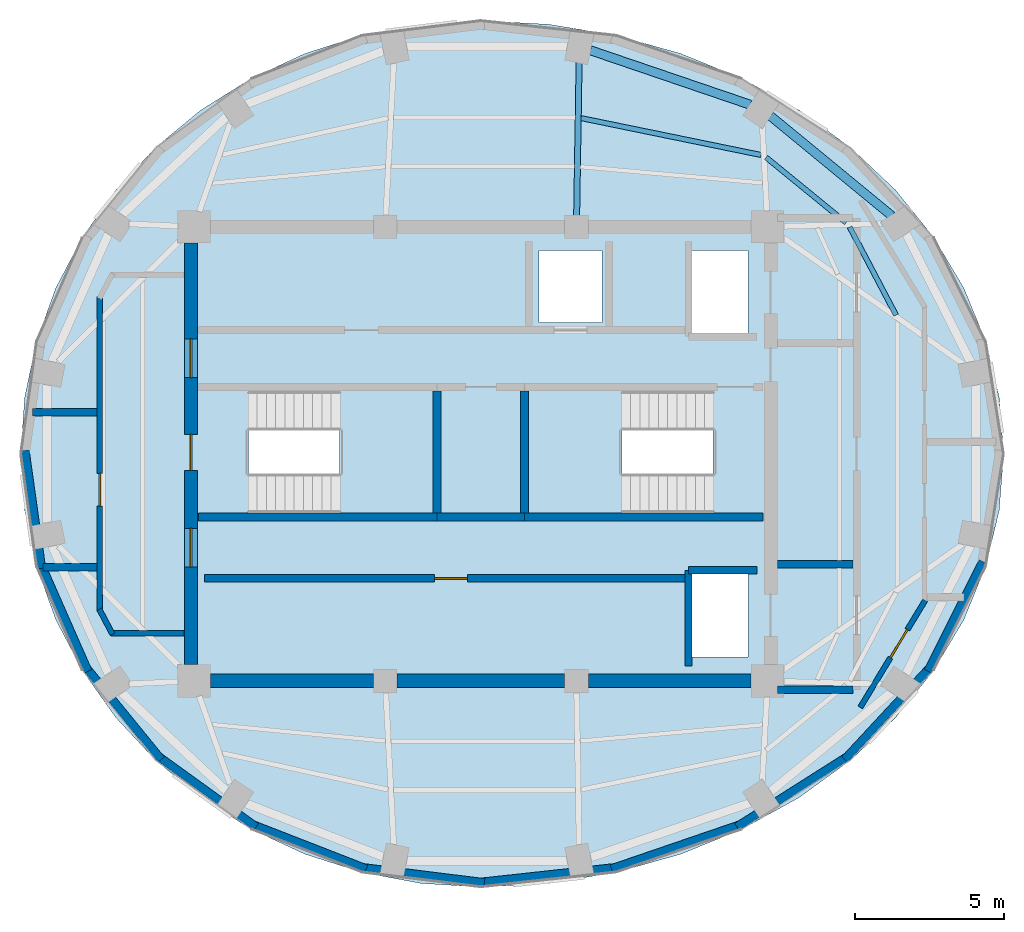
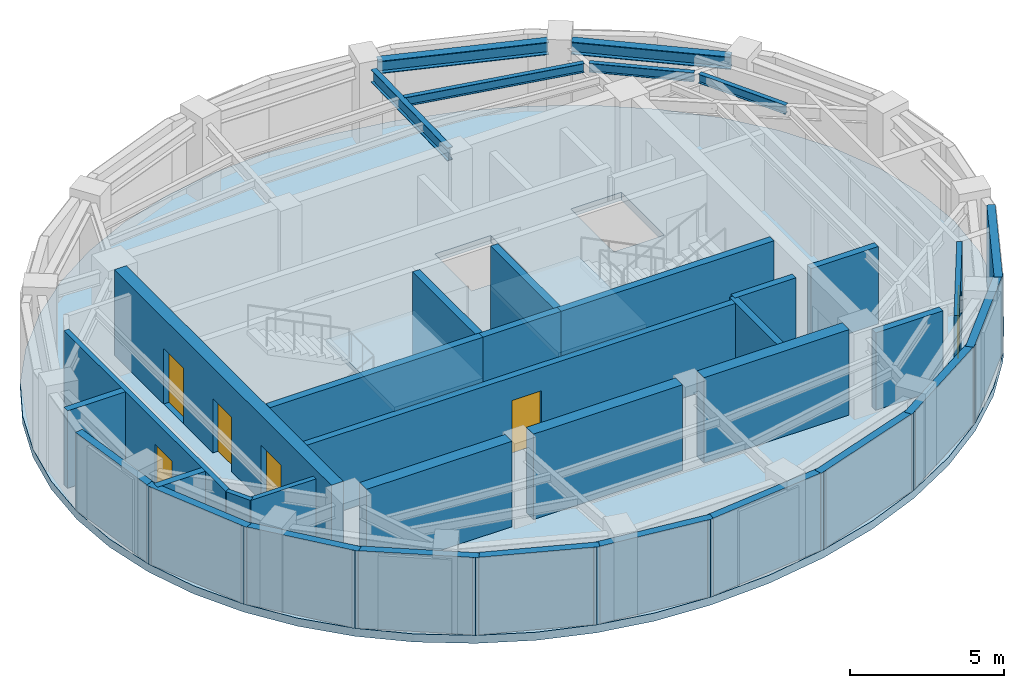
# One storey, part 2 of 5: 31 walls, 6 beams, 6 doors, 3 slabs, 6 openings, 2 elements without a shape of their own.
"""IFC4 building model written with IfcOpenShell, lengths in metres."""

import ifcopenshell
import ifcopenshell.guid

model = None  # the IFC model being written
_history = None  # IfcOwnerHistory: only IFC2X3 demands one
_inside = {}  # id of a spatial element -> (the spatial element, [elements in it])
_under = {}  # id of a project, library or spatial element -> (it, [spatial elements below it])
_declared = {}  # id of a project -> (the project, [libraries it declares])
_typed = {}  # id of a type object -> (the type object, [elements of that type])
_made_of = {}  # id of a material, layer set ... -> (it, [elements and type objects made of it])


def new_model(schema):
    """Start an empty IFC model of exactly this schema.

    Asked for "IFC4X3", IfcOpenShell would pick the latest addendum, in which some entities
    have other attributes; the version numbers below select the first issue.
    IFC2X3 requires an IfcOwnerHistory on every rooted entity: one is made here for all.
    """
    global model, _history
    if schema == "IFC4X3":
        model = ifcopenshell.file(schema_version=(4, 3, 0, 0))
    else:
        model = ifcopenshell.file(schema=schema)
    _inside.clear()
    _under.clear()
    _declared.clear()
    _typed.clear()
    _made_of.clear()
    _history = None
    if model.schema == "IFC2X3":
        org = make("IfcOrganization", Name="unknown")
        user = make(
            "IfcPersonAndOrganization",
            ThePerson=make("IfcPerson", FamilyName="unknown"),
            TheOrganization=org,
        )
        app = make(
            "IfcApplication",
            ApplicationDeveloper=org,
            Version="unknown",
            ApplicationFullName="unknown",
            ApplicationIdentifier="unknown",
        )
        _history = make(
            "IfcOwnerHistory",
            OwningUser=user,
            OwningApplication=app,
            ChangeAction="ADDED",
            CreationDate=0,
        )
    return model


def make(cls, **values):
    """One entity of the class cls with the attributes given. An attribute that is None is left unset."""
    return model.create_entity(
        cls, **{name: value for name, value in values.items() if value is not None}
    )


def rooted(cls, **values):
    """An entity with a GlobalId (a new one), such as an element, a storey or a relation."""
    return make(cls, GlobalId=ifcopenshell.guid.new(), OwnerHistory=_history, **values)


def si_unit(unit_type, name, prefix=None):
    """IfcSIUnit, for example si_unit("LENGTHUNIT", "METRE", prefix="MILLI")."""
    return make("IfcSIUnit", UnitType=unit_type, Prefix=prefix, Name=name)


def assignment(units):
    """IfcUnitAssignment: the units of a project."""
    return None if units is None else make("IfcUnitAssignment", Units=units)


def point(xyz):
    """IfcCartesianPoint."""
    return None if xyz is None else make("IfcCartesianPoint", Coordinates=xyz)


def direction(xyz):
    """IfcDirection."""
    return None if xyz is None else make("IfcDirection", DirectionRatios=xyz)


def frame(location, z_axis=None, x_axis=None):
    """IfcAxis2Placement3D, a coordinate frame: its origin and axes. An axis left out is left unset."""
    return make(
        "IfcAxis2Placement3D",
        Location=point(location),
        Axis=direction(z_axis),
        RefDirection=direction(x_axis),
    )


def frame_2d(location, x_axis=None):
    """IfcAxis2Placement2D, a coordinate frame in the plane: its origin and x axis."""
    return make(
        "IfcAxis2Placement2D", Location=point(location), RefDirection=direction(x_axis)
    )


def origin():
    """The frame at (0, 0, 0) with its axes left unset."""
    return frame((0.0, 0.0, 0.0))


def origin_2d():
    """The frame at (0, 0) in the plane with its x axis left unset."""
    return frame_2d((0.0, 0.0))


def place(relative_to, where):
    """IfcLocalPlacement: puts the frame where relative to a parent placement (None: the world)."""
    return make(
        "IfcLocalPlacement", PlacementRelTo=relative_to, RelativePlacement=where
    )


def context(
    kind, dimensions, precision=None, world=None, true_north=None, identifier=None
):
    """IfcGeometricRepresentationContext, for example the 3D "Model" context."""
    return make(
        "IfcGeometricRepresentationContext",
        ContextIdentifier=identifier,
        ContextType=kind,
        CoordinateSpaceDimension=dimensions,
        Precision=precision,
        WorldCoordinateSystem=world,
        TrueNorth=true_north,
    )


def subcontext(parent, identifier, kind, view, scale=None):
    """IfcGeometricRepresentationSubContext, for example "Body" below "Model"."""
    return make(
        "IfcGeometricRepresentationSubContext",
        ContextIdentifier=identifier,
        ContextType=kind,
        ParentContext=parent,
        TargetScale=scale,
        TargetView=view,
    )


def project(units=None, contexts=None):
    """IfcProject with its units and contexts."""
    return rooted(
        "IfcProject",
        Name="project",
        RepresentationContexts=contexts,
        UnitsInContext=assignment(units),
    )


def spatial(cls, under=None, at=None, **own):
    """A site, building, storey or space (cls), placed at a placement, below another one or the project."""
    s = rooted(cls, ObjectPlacement=at, **own)
    if under is not None:
        _under.setdefault(under.id(), (under, []))[1].append(s)
    return s


def polyline(points):
    """IfcPolyline through the points."""
    return make("IfcPolyline", Points=[point(p) for p in points])


def profile(cls, at=None, kind="AREA", **sizes):
    """A parametric profile (cls). Its sizes go by their IFC names, for example OverallWidth=200.0."""
    return make(cls, ProfileType=kind, Position=at, **sizes)


def rectangle(**sizes):
    """IfcRectangleProfileDef."""
    return profile("IfcRectangleProfileDef", **sizes)


def i_section(**sizes):
    """IfcIShapeProfileDef."""
    return profile("IfcIShapeProfileDef", **sizes)


def outline(outer, holes=None, kind="AREA"):
    """IfcArbitraryClosedProfileDef: a profile drawn as a closed curve; with holes, ...WithVoids."""
    if holes is None:
        return make("IfcArbitraryClosedProfileDef", ProfileType=kind, OuterCurve=outer)
    return make(
        "IfcArbitraryProfileDefWithVoids",
        ProfileType=kind,
        OuterCurve=outer,
        InnerCurves=holes,
    )


def extrude(swept, where, along, depth):
    """IfcExtrudedAreaSolid: the profile swept, set in the frame where, extruded along a direction by depth."""
    return make(
        "IfcExtrudedAreaSolid",
        SweptArea=swept,
        Position=where,
        ExtrudedDirection=direction(along),
        Depth=depth,
    )


def shape(context_of_items, identifier, shape_type, items):
    """IfcShapeRepresentation: the items that make up one representation, for example the "Body"."""
    return make(
        "IfcShapeRepresentation",
        ContextOfItems=context_of_items,
        RepresentationIdentifier=identifier,
        RepresentationType=shape_type,
        Items=items,
    )


def material(Name=None, Category=None):
    """IfcMaterial."""
    return make("IfcMaterial", Name=Name, Category=Category)


def layer(
    of_material, thickness, ventilated=None, Name=None, Category=None, Priority=None
):
    """IfcMaterialLayer: one layer of a wall or slab, of a material (None: an air gap)."""
    return make(
        "IfcMaterialLayer",
        Material=of_material,
        LayerThickness=thickness,
        IsVentilated=ventilated,
        Name=Name,
        Category=Category,
        Priority=Priority,
    )


def layer_set(layers, Name=None):
    """IfcMaterialLayerSet."""
    return make("IfcMaterialLayerSet", MaterialLayers=layers, LayerSetName=Name)


def material_profile(
    of_material, cross_section, Name=None, Category=None, Priority=None
):
    """IfcMaterialProfile: a cross section and its material."""
    return make(
        "IfcMaterialProfile",
        Name=Name,
        Material=of_material,
        Profile=cross_section,
        Priority=Priority,
        Category=Category,
    )


def profile_set(profiles, Name=None, composite=None):
    """IfcMaterialProfileSet."""
    return make(
        "IfcMaterialProfileSet",
        Name=Name,
        MaterialProfiles=profiles,
        CompositeProfile=composite,
    )


def made_of(thing, what):
    """Note that an element or type object is made of a material, layer set ...; save() writes the relation."""
    if what is not None:
        _made_of.setdefault(what.id(), (what, []))[1].append(thing)
    return thing


def type_object(cls, material=None, **own):
    """A type object (cls), such as IfcWallType, which elements share."""
    return made_of(rooted(cls, **own), material)


def element(
    cls,
    number,
    at=None,
    inside=None,
    cuts=None,
    type_object=None,
    material=None,
    context=None,
    identifier="Body",
    shape_type=None,
    held_by="IfcProductDefinitionShape",
    body=None,
    shapes=None,
    **own,
):
    """One element of the class cls, such as IfcWall. Its Tag is "e" and its number.

    at: its placement. inside: the storey or other place that contains it. cuts: it is an
    opening in that element (IfcRelVoidsElement). A single representation is given by context,
    identifier, shape_type and body (its items); several are given by shapes. held_by: the class
    of the entity that holds the representations. save() writes the other relations.
    """
    e = rooted(cls, Tag="e%d" % number, ObjectPlacement=at, **own)
    if body is not None:
        shapes = [shape(context, identifier, shape_type, body)]
    if shapes is not None:
        e.Representation = make(held_by, Representations=shapes)
    if inside is not None:
        _inside.setdefault(inside.id(), (inside, []))[1].append(e)
    if cuts is not None:
        rooted(
            "IfcRelVoidsElement", RelatingBuildingElement=cuts, RelatedOpeningElement=e
        )
    if type_object is not None:
        _typed.setdefault(type_object.id(), (type_object, []))[1].append(e)
    return made_of(e, material)


def fill(opening, filler):
    """IfcRelFillsElement: the door or window that sits in an opening."""
    return rooted(
        "IfcRelFillsElement",
        RelatingOpeningElement=opening,
        RelatedBuildingElement=filler,
    )


def aggregate(whole, parts):
    """IfcRelAggregates: a whole, such as a stair, and the parts it consists of."""
    return rooted("IfcRelAggregates", RelatingObject=whole, RelatedObjects=parts)


def save(model, path):
    """Write the relations noted so far, then the file.

    IfcRelAggregates (storeys below a building ...), IfcRelContainedInSpatialStructure (elements
    in a storey), IfcRelDefinesByType, IfcRelAssociatesMaterial and IfcRelDeclares: one each for
    every whole, place, type object, material and project.
    """
    for whole, parts in _under.values():
        aggregate(whole, parts)
    for where, things in _inside.values():
        rooted(
            "IfcRelContainedInSpatialStructure",
            RelatedElements=things,
            RelatingStructure=where,
        )
    for kind, things in _typed.values():
        rooted("IfcRelDefinesByType", RelatedObjects=things, RelatingType=kind)
    for what, things in _made_of.values():
        rooted("IfcRelAssociatesMaterial", RelatedObjects=things, RelatingMaterial=what)
    for by, libraries in _declared.values():
        rooted("IfcRelDeclares", RelatingContext=by, RelatedDefinitions=libraries)
    model.write(path)


model = new_model("IFC4")

# Units and contexts
model_context = context("Model", 3, precision=1e-05, world=origin(), true_north=direction((0.0, 1.0)))
body_context = subcontext(model_context, "Body", "Model", "MODEL_VIEW")
ifc_project = project(units=[si_unit("LENGTHUNIT", "METRE"), si_unit("AREAUNIT", "SQUARE_METRE"), si_unit("VOLUMEUNIT", "CUBIC_METRE"), si_unit("PLANEANGLEUNIT", "RADIAN"), si_unit("MASSUNIT", "GRAM", prefix="KILO")], contexts=[model_context])

# Site, building, storey
site_placement = place(None, origin())
site = spatial("IfcSite", under=ifc_project, at=site_placement, CompositionType="ELEMENT")
building_placement = place(site_placement, origin())
building = spatial("IfcBuilding", under=site, at=building_placement, Name="Lazwardi Medical Tower", CompositionType="ELEMENT")
storey_placement = place(building_placement, frame((0.0, 0.0, 309.22412109375)))
storey = spatial("IfcBuildingStorey", under=building, at=storey_placement, Name="L81", CompositionType="ELEMENT", Elevation=309.22412109375)

# Beams
ifc_material_1 = material(Name="Steel S355", Category="steel")
ifc_material_profile_1 = material_profile(ifc_material_1, i_section(OverallWidth=0.300048828125, OverallDepth=0.5, WebThickness=0.014404296875, FlangeThickness=0.028076171875, at=origin_2d()), Name="HEB 500")
ifc_profile_set_1 = profile_set([ifc_material_profile_1], Name="Steel S355")
beam_type_1 = type_object("IfcBeamType", Name="BM-RB-Z4", PredefinedType="BEAM", material=ifc_profile_set_1)
beam_1_placement = place(storey_placement, frame((49.75048828125, 35.97021484375, 2.81787109375), z_axis=(-0.772320174437, 0.635233459571, 0.0), x_axis=(-0.635233459571, -0.772320174437, 0.0)))
element("IfcBeam", 1, at=beam_1_placement, inside=storey, type_object=beam_type_1, Name="Ring beam RB-05 B06 L81", PredefinedType="BEAM", context=body_context, shape_type="SweptSolid", body=[
    extrude(i_section(OverallWidth=0.300048828125, OverallDepth=0.5, WebThickness=0.014404296875, FlangeThickness=0.028076171875, at=origin_2d()), origin(), (0.0, 0.0, 1.0), 5.25732421875),
])
beam_2_placement = place(storey_placement, frame((45.02001953125, 39.68310546875, 2.81787109375), z_axis=(-0.94657339, 0.322488476296, 0.0), x_axis=(-0.322488476296, -0.94657339, 0.0)))
element("IfcBeam", 2, at=beam_2_placement, inside=storey, type_object=beam_type_1, Name="Ring beam RB-05 B07 L81", PredefinedType="BEAM", context=body_context, shape_type="SweptSolid", body=[
    extrude(i_section(OverallWidth=0.300048828125, OverallDepth=0.5, WebThickness=0.014404296875, FlangeThickness=0.028076171875, at=origin_2d()), origin(), (0.0, 0.0, 1.0), 5.656005859375),
])
ifc_material_profile_2 = material_profile(ifc_material_1, i_section(OverallWidth=0.199951171875, OverallDepth=0.5, WebThickness=0.01025390625, FlangeThickness=0.01611328125, at=origin_2d()), Name="IPE 500")
ifc_profile_set_2 = profile_set([ifc_material_profile_2], Name="Steel S355")
beam_type_2 = type_object("IfcBeamType", Name="BM-RG-W3", PredefinedType="BEAM", material=ifc_profile_set_2)
beam_3_placement = place(storey_placement, frame((39.288330078125, 41.097900390625, 2.81787109375), z_axis=(-0.016042248199, -0.999871314856, 0.0), x_axis=(0.999871314856, -0.016042248199, 0.0)))
element("IfcBeam", 3, at=beam_3_placement, inside=storey, type_object=beam_type_2, Name="Radial girder RG-04 R08 L81", PredefinedType="BEAM", context=body_context, shape_type="SweptSolid", body=[
    extrude(i_section(OverallWidth=0.199951171875, OverallDepth=0.5, WebThickness=0.01025390625, FlangeThickness=0.01611328125, at=origin_2d()), origin(), (0.0, 0.0, 1.0), 5.113525390625),
])
ifc_material_profile_3 = material_profile(ifc_material_1, i_section(OverallWidth=0.169921875, OverallDepth=0.360107421875, WebThickness=0.008056640625, FlangeThickness=0.0126953125, at=origin_2d()), Name="IPE 360")
ifc_profile_set_3 = profile_set([ifc_material_profile_3], Name="Steel S355")
beam_type_3 = type_object("IfcBeamType", Name="BM-SJ-02", PredefinedType="JOIST", material=ifc_profile_set_3)
beam_4_placement = place(storey_placement, frame((49.897216796875, 32.6416015625, 2.887939453125), z_axis=(-0.466129832602, 0.884716326942, 0.0), x_axis=(-0.884716326942, -0.466129832602, 0.0)))
element("IfcBeam", 4, at=beam_4_placement, inside=storey, type_object=beam_type_3, Name="Secondary joist SJ-02 R1 B05 L81", PredefinedType="JOIST", context=body_context, shape_type="SweptSolid", body=[
    extrude(i_section(OverallWidth=0.169921875, OverallDepth=0.360107421875, WebThickness=0.008056640625, FlangeThickness=0.0126953125, at=origin_2d()), origin(), (0.0, 0.0, 1.0), 3.332763671875),
])
beam_5_placement = place(storey_placement, frame((48.225830078125, 35.734375, 2.887939453125), z_axis=(-0.774431855027, 0.632657333727, 0.0), x_axis=(-0.632657333727, -0.774431855027, 0.0)))
element("IfcBeam", 5, at=beam_5_placement, inside=storey, type_object=beam_type_3, Name="Secondary joist SJ-02 R1 B06 L81", PredefinedType="JOIST", context=body_context, shape_type="SweptSolid", body=[
    extrude(i_section(OverallWidth=0.169921875, OverallDepth=0.360107421875, WebThickness=0.008056640625, FlangeThickness=0.0126953125, at=origin_2d()), origin(), (0.0, 0.0, 1.0), 3.45947265625),
])
beam_6_placement = place(storey_placement, frame((45.3798828125, 38.002197265625, 2.887939453125), z_axis=(-0.979616916129, 0.200874830763, 0.0), x_axis=(-0.200874830763, -0.979616916129, 0.0)))
element("IfcBeam", 6, at=beam_6_placement, inside=storey, type_object=beam_type_3, Name="Secondary joist SJ-02 R1 B07 L81", PredefinedType="JOIST", context=body_context, shape_type="SweptSolid", body=[
    extrude(i_section(OverallWidth=0.169921875, OverallDepth=0.360107421875, WebThickness=0.008056640625, FlangeThickness=0.0126953125, at=origin_2d()), origin(), (0.0, 0.0, 1.0), 6.153564453125),
])

# Stair, slab
ifc_material_2 = material(Name="Concrete C45/55", Category="concrete")
stair_type = type_object("IfcStairType", Name="STR-CRN", PredefinedType="HALF_TURN_STAIR", material=ifc_material_2)
stair_1_placement = place(storey_placement, origin())
stair_1 = element("IfcStair", 7, at=stair_1_placement, inside=storey, type_object=stair_type, Name="L81 Protected Exit Stair ST1", PredefinedType="HALF_TURN_STAIR")
ifc_layer_1 = layer(ifc_material_2, 0.199951171875)
ifc_layer_set_1 = layer_set([ifc_layer_1], Name="Concrete C45/55")
slab_type_1 = type_object("IfcSlabType", Name="SLB-LND-190", PredefinedType="LANDING", material=ifc_layer_set_1)
slab_1_placement = place(storey_placement, frame((0.0, 0.0, 1.493896484375)))
slab_1 = element("IfcSlab", 8, at=slab_1_placement, type_object=slab_type_1, Name="ST1 landing 1", PredefinedType="LANDING", context=body_context, shape_type="SweptSolid", body=[
    extrude(outline(polyline([(31.27490234375, 25.840087890625), (34.580078125, 25.840087890625), (34.580078125, 30.280029296875), (31.27490234375, 30.280029296875), (31.27490234375, 25.840087890625)])), origin(), (0.0, 0.0, 1.0), 0.199951171875),
])
aggregate(stair_1, [slab_1])

stair_2_placement = place(storey_placement, origin())
stair_2 = element("IfcStair", 9, at=stair_2_placement, inside=storey, type_object=stair_type, Name="L81 Protected Exit Stair ST2", PredefinedType="HALF_TURN_STAIR")
slab_2_placement = place(storey_placement, frame((0.0, 0.0, 1.493896484375)))
slab_2 = element("IfcSlab", 10, at=slab_2_placement, type_object=slab_type_1, Name="ST2 landing 1", PredefinedType="LANDING", context=body_context, shape_type="SweptSolid", body=[
    extrude(outline(polyline([(40.72509765625, 30.280029296875), (37.419921875, 30.280029296875), (37.419921875, 25.840087890625), (40.72509765625, 25.840087890625), (40.72509765625, 30.280029296875)])), origin(), (0.0, 0.0, 1.0), 0.199951171875),
])
aggregate(stair_2, [slab_2])

# Slab
ifc_material_3 = material(Name="Concrete C50/60", Category="concrete")
ifc_layer_2 = layer(ifc_material_3, 0.320068359375)
ifc_layer_set_2 = layer_set([ifc_layer_2], Name="Concrete C50/60")
slab_type_2 = type_object("IfcSlabType", Name="SLB-PLT-320", PredefinedType="FLOOR", material=ifc_layer_set_2)
slab_3_placement = place(storey_placement, frame((0.0, 0.0, -0.320068359375)))
element("IfcSlab", 11, at=slab_3_placement, inside=storey, type_object=slab_type_2, Name="Structural floor slab SF-05 L81", PredefinedType="FLOOR", context=body_context, shape_type="SweptSolid", body=[
    extrude(outline(polyline([(28.300048828125, 15.442626953125), (30.106689453125, 14.603759765625), (32.01416015625, 13.994140625), (33.989990234375, 13.6240234375), (36.0, 13.5), (38.2841796875, 13.6240234375), (40.529296875, 13.994140625), (42.697021484375, 14.603759765625), (44.75, 15.442626953125), (46.6533203125, 16.496337890625), (48.37451171875, 17.7470703125), (49.8837890625, 19.173095703125), (51.155517578125, 20.75), (52.16796875, 22.451171875), (52.90380859375, 24.2470703125), (53.350341796875, 26.107421875), (53.5, 28.0), (53.350341796875, 29.892578125), (52.90380859375, 31.7529296875), (52.16796875, 33.548828125), (51.155517578125, 35.25), (49.8837890625, 36.826904296875), (48.37451171875, 38.2529296875), (46.6533203125, 39.503662109375), (44.75, 40.557373046875), (42.697021484375, 41.396240234375), (40.529296875, 42.005859375), (38.2841796875, 42.3759765625), (36.0, 42.5), (33.989990234375, 42.3759765625), (32.01416015625, 42.005859375), (30.106689453125, 41.396240234375), (28.300048828125, 40.557373046875), (26.625, 39.503662109375), (25.110595703125, 38.2529296875), (23.782470703125, 36.826904296875), (22.6630859375, 35.25), (21.772216796875, 33.548828125), (21.124755859375, 31.7529296875), (20.731689453125, 29.892578125), (20.60009765625, 28.0), (20.731689453125, 26.107421875), (21.124755859375, 24.2470703125), (21.772216796875, 22.451171875), (22.6630859375, 20.75), (23.782470703125, 19.173095703125), (25.110595703125, 17.7470703125), (26.625, 16.496337890625), (28.300048828125, 15.442626953125)]), holes=[polyline([(28.22509765625, 26.02001953125), (28.22509765625, 30.10009765625), (34.39990234375, 30.10009765625), (34.39990234375, 26.02001953125), (28.22509765625, 26.02001953125)]), polyline([(37.60009765625, 30.10009765625), (43.77490234375, 30.10009765625), (43.77490234375, 26.02001953125), (37.60009765625, 26.02001953125), (37.60009765625, 30.10009765625)]), polyline([(40.050048828125, 34.800048828125), (40.050048828125, 32.39990234375), (37.949951171875, 32.39990234375), (37.949951171875, 34.800048828125), (40.050048828125, 34.800048828125)]), polyline([(44.949951171875, 32.0), (43.050048828125, 32.0), (43.050048828125, 34.800048828125), (44.949951171875, 34.800048828125), (44.949951171875, 32.0)]), polyline([(43.050048828125, 21.199951171875), (43.050048828125, 24.0), (44.949951171875, 24.0), (44.949951171875, 21.199951171875), (43.050048828125, 21.199951171875)])]), origin(), (0.0, 0.0, 1.0), 0.320068359375),
])

# Wall, opening, door
ifc_material_4 = material(Name="Fire-rated gypsum board on steel stud", Category="steel")
ifc_layer_3 = layer(ifc_material_4, 0.179931640625)
ifc_layer_set_3 = layer_set([ifc_layer_3], Name="Fire-rated gypsum board on steel stud")
wall_type_1 = type_object("IfcWallType", Name="WL-COR-180", PredefinedType="PARTITIONING", material=ifc_layer_set_3)
wall_1_placement = place(storey_placement, frame((50.87060546875, 23.09521484375, 0.0), z_axis=(0.0, 0.0, 1.0), x_axis=(-0.518614420457, -0.855008235571, 0.0)))
wall_1 = element("IfcWall", 12, at=wall_1_placement, inside=storey, type_object=wall_type_1, Name="L81 Corridor partition 3", PredefinedType="PARTITIONING", context=body_context, shape_type="SweptSolid", body=[
    extrude(rectangle(XDim=4.18701171875, YDim=0.179931640625, at=frame_2d((2.093505859375, 0.0))), origin(), (0.0, 0.0, 1.0), 3.06787109375),
])
opening_1_placement = place(wall_1_placement, frame((1.143310546875, 0.0, 0.0)))
opening_1 = element("IfcOpeningElement", 13, at=opening_1_placement, cuts=wall_1, Name="Opening D-L81-011", PredefinedType="OPENING", context=body_context, shape_type="SweptSolid", body=[
    extrude(rectangle(XDim=1.10009765625, YDim=2.14990234375, at=frame_2d((0.550048828125, 1.074951171875))), frame((0.0, 0.099853515625, 0.0), z_axis=(0.0, -1.0, 0.0), x_axis=(1.0, 0.0, 0.0)), (0.0, 0.0, 1.0), 0.199951171875),
])
ifc_material_5 = material(Name="Fire-rated steel leaf and frame", Category="steel")
door_type_1 = type_object("IfcDoorType", Name="DR-PLT-1100", OperationType="NOTDEFINED", PredefinedType="DOOR", material=ifc_material_5)
door_1_placement = place(opening_1_placement, origin())
door_1 = element("IfcDoor", 14, at=door_1_placement, inside=storey, type_object=door_type_1, Name="L81 Medical Gas Plant Room Door 02", OperationType="SINGLE_SWING_LEFT", OverallHeight=2.14990234375, OverallWidth=1.10009765625, PredefinedType="DOOR", context=body_context, shape_type="SweptSolid", body=[
    extrude(rectangle(XDim=1.10009765625, YDim=2.14990234375, at=frame_2d((0.550048828125, 1.074951171875))), frame((0.0, 0.02490234375, 0.0), z_axis=(0.0, -1.0, 0.0), x_axis=(1.0, 0.0, 0.0)), (0.0, 0.0, 1.0), 0.050048828125),
])
fill(opening_1, door_1)

# Walls
wall_2_placement = place(storey_placement, frame((26.06005859375, 22.0, 0.0), z_axis=(0.0, 0.0, 1.0), x_axis=(-1.0, 0.0, 0.0)))
element("IfcWall", 15, at=wall_2_placement, inside=storey, type_object=wall_type_1, Name="L81 Corridor partition 4", PredefinedType="PARTITIONING", context=body_context, shape_type="SweptSolid", body=[
    extrude(rectangle(XDim=2.446533203125, YDim=0.179931640625, at=frame_2d((1.22314453125, 0.0))), origin(), (0.0, 0.0, 1.0), 3.06787109375),
])
wall_3_placement = place(storey_placement, frame((23.672119140625, 21.964599609375, 0.0), z_axis=(0.0, 0.0, 1.0), x_axis=(-0.466427533163, 0.884559413667, 0.0)))
element("IfcWall", 16, at=wall_3_placement, inside=storey, type_object=wall_type_1, Name="L81 Corridor partition 5", PredefinedType="PARTITIONING", context=body_context, shape_type="SweptSolid", body=[
    extrude(rectangle(XDim=0.9453125, YDim=0.179931640625, at=frame_2d((0.47265625, 0.0))), origin(), (0.0, 0.0, 1.0), 3.06787109375),
])

# Wall, opening, door
wall_4_placement = place(storey_placement, frame((23.25, 22.725341796875, 0.0), z_axis=(0.0, 0.0, 1.0), x_axis=(0.0, 1.0, 0.0)))
wall_4 = element("IfcWall", 17, at=wall_4_placement, inside=storey, type_object=wall_type_1, Name="L81 Corridor partition 6", PredefinedType="PARTITIONING", context=body_context, shape_type="SweptSolid", body=[
    extrude(rectangle(XDim=10.54931640625, YDim=0.179931640625, at=frame_2d((5.274658203125, 0.0))), origin(), (0.0, 0.0, 1.0), 3.06787109375),
])
opening_2_placement = place(wall_4_placement, frame((3.524658203125, 0.0, 0.0)))
opening_2 = element("IfcOpeningElement", 18, at=opening_2_placement, cuts=wall_4, Name="Opening D-L81-010", PredefinedType="OPENING", context=body_context, shape_type="SweptSolid", body=[
    extrude(rectangle(XDim=1.10009765625, YDim=2.14990234375, at=frame_2d((0.550048828125, 1.074951171875))), frame((0.0, 0.099853515625, 0.0), z_axis=(0.0, -1.0, 0.0), x_axis=(1.0, 0.0, 0.0)), (0.0, 0.0, 1.0), 0.199951171875),
])
door_2_placement = place(opening_2_placement, origin())
door_2 = element("IfcDoor", 19, at=door_2_placement, inside=storey, type_object=door_type_1, Name="L81 Standby Power Hall Plant Room Door 01", OperationType="SINGLE_SWING_RIGHT", OverallHeight=2.14990234375, OverallWidth=1.10009765625, PredefinedType="DOOR", context=body_context, shape_type="SweptSolid", body=[
    extrude(rectangle(XDim=1.10009765625, YDim=2.14990234375, at=frame_2d((0.550048828125, 1.074951171875))), frame((0.0, 0.02490234375, 0.0), z_axis=(0.0, -1.0, 0.0), x_axis=(1.0, 0.0, 0.0)), (0.0, 0.0, 1.0), 0.050048828125),
])
fill(opening_2, door_2)

# Wall, openings, doors
ifc_material_6 = material(Name="Concrete C60/75", Category="concrete")
ifc_layer_4 = layer(ifc_material_6, 0.449951171875)
ifc_layer_set_4 = layer_set([ifc_layer_4], Name="Concrete C60/75")
wall_type_2 = type_object("IfcWallType", Name="WL-CORE-450", PredefinedType="SHEAR", material=ifc_layer_set_4)
wall_5_placement = place(storey_placement, frame((26.300048828125, 20.949951171875, 0.0), z_axis=(0.0, 0.0, 1.0), x_axis=(0.0, 1.0, 0.0)))
wall_5 = element("IfcWall", 20, at=wall_5_placement, inside=storey, type_object=wall_type_2, Name="Core wall CW-S4 west L81", PredefinedType="SHEAR", context=body_context, shape_type="SweptSolid", body=[
    extrude(rectangle(XDim=14.10009765625, YDim=0.449951171875, at=frame_2d((7.050048828125, 0.0))), origin(), (0.0, 0.0, 1.0), 3.387939453125),
])
opening_3_placement = place(wall_5_placement, frame((6.5, 0.0, 0.0)))
opening_3 = element("IfcOpeningElement", 21, at=opening_3_placement, cuts=wall_5, Name="Opening D-L81-014", PredefinedType="OPENING", context=body_context, shape_type="SweptSolid", body=[
    extrude(rectangle(XDim=1.199951171875, YDim=2.14990234375, at=frame_2d((0.60009765625, 1.074951171875))), frame((0.0, 0.23486328125, 0.0), z_axis=(0.0, -1.0, 0.0), x_axis=(1.0, 0.0, 0.0)), (0.0, 0.0, 1.0), 0.469970703125),
])
opening_4_placement = place(wall_5_placement, frame((9.60009765625, 0.0, 0.0)))
opening_4 = element("IfcOpeningElement", 22, at=opening_4_placement, cuts=wall_5, Name="Opening D-L81-006", PredefinedType="OPENING", context=body_context, shape_type="SweptSolid", body=[
    extrude(rectangle(XDim=1.300048828125, YDim=2.199951171875, at=frame_2d((0.64990234375, 1.10009765625))), frame((0.0, 0.23486328125, 0.0), z_axis=(0.0, -1.0, 0.0), x_axis=(1.0, 0.0, 0.0)), (0.0, 0.0, 1.0), 0.469970703125),
])
opening_5_placement = place(wall_5_placement, frame((3.260009765625, 0.0, 0.0)))
opening_5 = element("IfcOpeningElement", 23, at=opening_5_placement, cuts=wall_5, Name="Opening D-L81-007", PredefinedType="OPENING", context=body_context, shape_type="SweptSolid", body=[
    extrude(rectangle(XDim=1.300048828125, YDim=2.199951171875, at=frame_2d((0.64990234375, 1.10009765625))), frame((0.0, 0.23486328125, 0.0), z_axis=(0.0, -1.0, 0.0), x_axis=(1.0, 0.0, 0.0)), (0.0, 0.0, 1.0), 0.469970703125),
])
door_type_2 = type_object("IfcDoorType", Name="DR-FFL-1300", OperationType="NOTDEFINED", PredefinedType="DOOR", material=ifc_material_5)
door_3_placement = place(opening_4_placement, origin())
door_3 = element("IfcDoor", 24, at=door_3_placement, inside=storey, type_object=door_type_2, Name="L81 North Lift Lobby Door", OperationType="SINGLE_SWING_RIGHT", OverallHeight=2.199951171875, OverallWidth=1.300048828125, PredefinedType="DOOR", context=body_context, shape_type="SweptSolid", body=[
    extrude(rectangle(XDim=1.300048828125, YDim=2.199951171875, at=frame_2d((0.64990234375, 1.10009765625))), frame((0.0, 0.02490234375, 0.0), z_axis=(0.0, -1.0, 0.0), x_axis=(1.0, 0.0, 0.0)), (0.0, 0.0, 1.0), 0.050048828125),
])
fill(opening_4, door_3)
door_4_placement = place(opening_5_placement, origin())
door_4 = element("IfcDoor", 25, at=door_4_placement, inside=storey, type_object=door_type_2, Name="L81 South Lift Lobby Door", OperationType="SINGLE_SWING_LEFT", OverallHeight=2.199951171875, OverallWidth=1.300048828125, PredefinedType="DOOR", context=body_context, shape_type="SweptSolid", body=[
    extrude(rectangle(XDim=1.300048828125, YDim=2.199951171875, at=frame_2d((0.64990234375, 1.10009765625))), frame((0.0, 0.02490234375, 0.0), z_axis=(0.0, -1.0, 0.0), x_axis=(1.0, 0.0, 0.0)), (0.0, 0.0, 1.0), 0.050048828125),
])
fill(opening_5, door_4)
door_type_3 = type_object("IfcDoorType", Name="DR-STR-1200", OperationType="NOTDEFINED", PredefinedType="DOOR", material=ifc_material_5)
door_5_placement = place(opening_3_placement, origin())
door_5 = element("IfcDoor", 26, at=door_5_placement, inside=storey, type_object=door_type_3, Name="L81 Exit Stair ST1 Door", OperationType="SINGLE_SWING_LEFT", OverallHeight=2.14990234375, OverallWidth=1.199951171875, PredefinedType="DOOR", context=body_context, shape_type="SweptSolid", body=[
    extrude(rectangle(XDim=1.199951171875, YDim=2.14990234375, at=frame_2d((0.60009765625, 1.074951171875))), frame((0.0, 0.02490234375, 0.0), z_axis=(0.0, -1.0, 0.0), x_axis=(1.0, 0.0, 0.0)), (0.0, 0.0, 1.0), 0.050048828125),
])
fill(opening_3, door_5)

# Walls
wall_6_placement = place(storey_placement, frame((26.949951171875, 20.39990234375, 0.0), z_axis=(0.0, 0.0, 1.0), x_axis=(1.0, 0.0, 0.0)))
element("IfcWall", 27, at=wall_6_placement, inside=storey, type_object=wall_type_2, Name="Core wall CW-S4 S1 L81", PredefinedType="SHEAR", context=body_context, shape_type="SweptSolid", body=[
    extrude(rectangle(XDim=5.449951171875, YDim=0.449951171875, at=frame_2d((2.72509765625, 0.0))), origin(), (0.0, 0.0, 1.0), 3.387939453125),
])
wall_7_placement = place(storey_placement, frame((33.199951171875, 20.39990234375, 0.0), z_axis=(0.0, 0.0, 1.0), x_axis=(1.0, 0.0, 0.0)))
element("IfcWall", 28, at=wall_7_placement, inside=storey, type_object=wall_type_2, Name="Core wall CW-S4 S2 L81", PredefinedType="SHEAR", context=body_context, shape_type="SweptSolid", body=[
    extrude(rectangle(XDim=5.60009765625, YDim=0.449951171875, at=frame_2d((2.800048828125, 0.0))), origin(), (0.0, 0.0, 1.0), 3.387939453125),
])
wall_8_placement = place(storey_placement, frame((39.60009765625, 20.39990234375, 0.0), z_axis=(0.0, 0.0, 1.0), x_axis=(1.0, 0.0, 0.0)))
element("IfcWall", 29, at=wall_8_placement, inside=storey, type_object=wall_type_2, Name="Core wall CW-S4 S3 L81", PredefinedType="SHEAR", context=body_context, shape_type="SweptSolid", body=[
    extrude(rectangle(XDim=5.449951171875, YDim=0.449951171875, at=frame_2d((2.72509765625, 0.0))), origin(), (0.0, 0.0, 1.0), 3.387939453125),
])
ifc_material_7 = material(Name="Precast concrete C45/55", Category="concrete")
ifc_layer_5 = layer(ifc_material_7, 0.280029296875)
ifc_layer_set_5 = layer_set([ifc_layer_5], Name="Precast concrete C45/55")
wall_type_3 = type_object("IfcWallType", Name="WL-DRUM-280", PredefinedType="SOLIDWALL", material=ifc_layer_set_5)
wall_9_placement = place(storey_placement, frame((35.880615234375, 13.64697265625, 0.0), z_axis=(0.0, 0.0, 1.0), x_axis=(0.994124299368, 0.108244525985, 0.0)))
element("IfcWall", 30, at=wall_9_placement, inside=storey, type_object=wall_type_3, Name="L81 Crown Plant Drum Wall 01", PredefinedType="SOLIDWALL", context=body_context, shape_type="SweptSolid", body=[
    extrude(rectangle(XDim=4.75439453125, YDim=0.280029296875, at=frame_2d((2.377197265625, 0.0))), origin(), (0.0, 0.0, 1.0), 3.06787109375),
])
wall_10_placement = place(storey_placement, frame((40.37451171875, 14.109619140625, 0.0), z_axis=(0.0, 0.0, 1.0), x_axis=(0.946020767408, 0.324106012955, 0.0)))
element("IfcWall", 31, at=wall_10_placement, inside=storey, type_object=wall_type_3, Name="L81 Crown Plant Drum Wall 02", PredefinedType="SOLIDWALL", context=body_context, shape_type="SweptSolid", body=[
    extrude(rectangle(XDim=4.660400390625, YDim=0.280029296875, at=frame_2d((2.330078125, 0.0))), origin(), (0.0, 0.0, 1.0), 3.06787109375),
])
wall_11_placement = place(storey_placement, frame((44.568603515625, 15.516845703125, 0.0), z_axis=(0.0, 0.0, 1.0), x_axis=(0.84435210997, 0.535788684454, 0.0)))
element("IfcWall", 32, at=wall_11_placement, inside=storey, type_object=wall_type_3, Name="L81 Crown Plant Drum Wall 03", PredefinedType="SOLIDWALL", context=body_context, shape_type="SweptSolid", body=[
    extrude(rectangle(XDim=4.493408203125, YDim=0.280029296875, at=frame_2d((2.24658203125, 0.0))), origin(), (0.0, 0.0, 1.0), 3.06787109375),
])
wall_12_placement = place(storey_placement, frame((48.1796875, 17.772216796875, 0.0), z_axis=(0.0, 0.0, 1.0), x_axis=(0.680156447476, 0.733066986678, 0.0)))
element("IfcWall", 33, at=wall_12_placement, inside=storey, type_object=wall_type_3, Name="L81 Crown Plant Drum Wall 04", PredefinedType="SOLIDWALL", context=body_context, shape_type="SweptSolid", body=[
    extrude(rectangle(XDim=4.291259765625, YDim=0.280029296875, at=frame_2d((2.1455078125, 0.0))), origin(), (0.0, 0.0, 1.0), 3.06787109375),
])
wall_13_placement = place(storey_placement, frame((50.963134765625, 20.72265625, 0.0), z_axis=(0.0, 0.0, 1.0), x_axis=(0.447855311217, 0.894106045285, 0.0)))
element("IfcWall", 34, at=wall_13_placement, inside=storey, type_object=wall_type_3, Name="L81 Crown Plant Drum Wall 05", PredefinedType="SOLIDWALL", context=body_context, shape_type="SweptSolid", body=[
    extrude(rectangle(XDim=4.108154296875, YDim=0.280029296875, at=frame_2d((2.05419921875, 0.0))), origin(), (0.0, 0.0, 1.0), 3.06787109375),
])
wall_14_placement = place(storey_placement, frame((20.743408203125, 28.118896484375, 0.0), z_axis=(0.0, 0.0, 1.0), x_axis=(0.13854936703, -0.990355528533, 0.0)))
element("IfcWall", 35, at=wall_14_placement, inside=storey, type_object=wall_type_3, Name="L81 Crown Plant Drum Wall 19", PredefinedType="SOLIDWALL", context=body_context, shape_type="SweptSolid", body=[
    extrude(rectangle(XDim=3.98779296875, YDim=0.280029296875, at=frame_2d((1.993896484375, 0.0))), origin(), (0.0, 0.0, 1.0), 3.06787109375),
])
wall_15_placement = place(storey_placement, frame((21.23095703125, 24.398193359375, 0.0), z_axis=(0.0, 0.0, 1.0), x_axis=(0.402911662576, -0.915238871639, 0.0)))
element("IfcWall", 36, at=wall_15_placement, inside=storey, type_object=wall_type_3, Name="L81 Crown Plant Drum Wall 20", PredefinedType="SOLIDWALL", context=body_context, shape_type="SweptSolid", body=[
    extrude(rectangle(XDim=4.0185546875, YDim=0.280029296875, at=frame_2d((2.00927734375, 0.0))), origin(), (0.0, 0.0, 1.0), 3.06787109375),
])
wall_16_placement = place(storey_placement, frame((22.72607421875, 20.923095703125, 0.0), z_axis=(0.0, 0.0, 1.0), x_axis=(0.631957150792, -0.775003328743, 0.0)))
element("IfcWall", 37, at=wall_16_placement, inside=storey, type_object=wall_type_3, Name="L81 Crown Plant Drum Wall 21", PredefinedType="SOLIDWALL", context=body_context, shape_type="SweptSolid", body=[
    extrude(rectangle(XDim=4.072265625, YDim=0.280029296875, at=frame_2d((2.0361328125, 0.0))), origin(), (0.0, 0.0, 1.0), 3.06787109375),
])
wall_17_placement = place(storey_placement, frame((25.12646484375, 17.930419921875, 0.0), z_axis=(0.0, 0.0, 1.0), x_axis=(0.810749316968, -0.585393495895, 0.0)))
element("IfcWall", 38, at=wall_17_placement, inside=storey, type_object=wall_type_3, Name="L81 Crown Plant Drum Wall 22", PredefinedType="SOLIDWALL", context=body_context, shape_type="SweptSolid", body=[
    extrude(rectangle(XDim=4.133056640625, YDim=0.280029296875, at=frame_2d((2.06640625, 0.0))), origin(), (0.0, 0.0, 1.0), 3.06787109375),
])
wall_18_placement = place(storey_placement, frame((28.268310546875, 15.624755859375, 0.0), z_axis=(0.0, 0.0, 1.0), x_axis=(0.931727407844, -0.363158419249, 0.0)))
element("IfcWall", 39, at=wall_18_placement, inside=storey, type_object=wall_type_3, Name="L81 Crown Plant Drum Wall 23", PredefinedType="SOLIDWALL", context=body_context, shape_type="SweptSolid", body=[
    extrude(rectangle(XDim=4.184814453125, YDim=0.280029296875, at=frame_2d((2.09228515625, 0.0))), origin(), (0.0, 0.0, 1.0), 3.06787109375),
])
wall_19_placement = place(storey_placement, frame((31.9365234375, 14.163330078125, 0.0), z_axis=(0.0, 0.0, 1.0), x_axis=(0.992416279723, -0.122922446041, 0.0)))
element("IfcWall", 40, at=wall_19_placement, inside=storey, type_object=wall_type_3, Name="L81 Crown Plant Drum Wall 24", PredefinedType="SOLIDWALL", context=body_context, shape_type="SweptSolid", body=[
    extrude(rectangle(XDim=4.214599609375, YDim=0.280029296875, at=frame_2d((2.107421875, 0.0))), origin(), (0.0, 0.0, 1.0), 3.06787109375),
])

# Wall, opening, door
ifc_material_8 = material(Name="Autoclaved aerated concrete blockwork", Category="masonry")
ifc_layer_6 = layer(ifc_material_8, 0.25)
ifc_layer_set_6 = layer_set([ifc_layer_6], Name="Autoclaved aerated concrete blockwork")
wall_type_4 = type_object("IfcWallType", Name="WL-SHAFT-250", PredefinedType="SOLIDWALL", material=ifc_layer_set_6)
wall_20_placement = place(storey_placement, frame((26.75, 23.830078125, 0.0), z_axis=(0.0, 0.0, 1.0), x_axis=(1.0, 0.0, 0.0)))
wall_20 = element("IfcWall", 41, at=wall_20_placement, inside=storey, type_object=wall_type_4, Name="L81 South lift bank front wall", PredefinedType="SOLIDWALL", context=body_context, shape_type="SweptSolid", body=[
    extrude(rectangle(XDim=16.199951171875, YDim=0.25, at=frame_2d((8.10009765625, 0.0))), origin(), (0.0, 0.0, 1.0), 3.06787109375),
])
opening_6_placement = place(wall_20_placement, frame((7.699951171875, 0.0, 0.0)))
opening_6 = element("IfcOpeningElement", 42, at=opening_6_placement, cuts=wall_20, Name="Opening D-L81-009", PredefinedType="OPENING", context=body_context, shape_type="SweptSolid", body=[
    extrude(rectangle(XDim=1.10009765625, YDim=2.14990234375, at=frame_2d((0.550048828125, 1.074951171875))), frame((0.0, 0.135009765625, 0.0), z_axis=(0.0, -1.0, 0.0), x_axis=(1.0, 0.0, 0.0)), (0.0, 0.0, 1.0), 0.27001953125),
])
door_6_placement = place(opening_6_placement, origin())
door_6 = element("IfcDoor", 43, at=door_6_placement, inside=storey, type_object=door_type_1, Name="L81 Lift Machine Room South Door", OperationType="SINGLE_SWING_LEFT", OverallHeight=2.14990234375, OverallWidth=1.10009765625, PredefinedType="DOOR", context=body_context, shape_type="SweptSolid", body=[
    extrude(rectangle(XDim=1.10009765625, YDim=2.14990234375, at=frame_2d((0.550048828125, 1.074951171875))), frame((0.0, 0.02490234375, 0.0), z_axis=(0.0, -1.0, 0.0), x_axis=(1.0, 0.0, 0.0)), (0.0, 0.0, 1.0), 0.050048828125),
])
fill(opening_6, door_6)

# Walls
wall_21_placement = place(storey_placement, frame((42.949951171875, 20.89990234375, 0.0), z_axis=(0.0, 0.0, 1.0), x_axis=(0.0, 1.0, 0.0)))
element("IfcWall", 44, at=wall_21_placement, inside=storey, type_object=wall_type_4, Name="L81 FL-02 West shaft wall", PredefinedType="SOLIDWALL", context=body_context, shape_type="SweptSolid", body=[
    extrude(rectangle(XDim=3.2001953125, YDim=0.25, at=frame_2d((1.60009765625, 0.0))), origin(), (0.0, 0.0, 1.0), 3.06787109375),
])
wall_22_placement = place(storey_placement, frame((42.949951171875, 24.10009765625, 0.0), z_axis=(0.0, 0.0, 1.0), x_axis=(1.0, 0.0, 0.0)))
element("IfcWall", 45, at=wall_22_placement, inside=storey, type_object=wall_type_4, Name="L81 FL-02 North shaft wall", PredefinedType="SOLIDWALL", context=body_context, shape_type="SweptSolid", body=[
    extrude(rectangle(XDim=2.300048828125, YDim=0.25, at=frame_2d((1.14990234375, 0.0))), origin(), (0.0, 0.0, 1.0), 3.06787109375),
])
for number, where, z_axis, x_axis, name in (
    (46, (45.929931640625, 24.300048828125, 0.0), (0.0, 0.0, 1.0), (1.0, 0.0, 0.0), "L81 Crown FFL-S North wall"),
    (47, (45.929931640625, 20.10009765625, 0.0), (0.0, 0.0, 1.0), (1.0, 0.0, 0.0), "L81 Crown FFL-S South wall"),
):
    element("IfcWall", number, at=place(storey_placement, frame(where, z_axis=z_axis, x_axis=x_axis)), inside=storey, type_object=wall_type_4, Name=name, PredefinedType="SOLIDWALL", context=body_context, shape_type="SweptSolid", body=[
        extrude(rectangle(XDim=2.52001953125, YDim=0.25, at=frame_2d((1.260009765625, 0.0))), origin(), (0.0, 0.0, 1.0), 3.06787109375),
    ])
wall_23_placement = place(storey_placement, frame((21.353271484375, 24.199951171875, 0.0), z_axis=(0.0, 0.0, 1.0), x_axis=(1.0, 0.0, 0.0)))
element("IfcWall", 48, at=wall_23_placement, inside=storey, type_object=wall_type_4, Name="L81 Room partition 1", PredefinedType="SOLIDWALL", context=body_context, shape_type="SweptSolid", body=[
    extrude(rectangle(XDim=1.806640625, YDim=0.25, at=frame_2d((0.9033203125, 0.0))), origin(), (0.0, 0.0, 1.0), 3.06787109375),
])
wall_24_placement = place(storey_placement, frame((20.990966796875, 29.39990234375, 0.0), z_axis=(0.0, 0.0, 1.0), x_axis=(1.0, 0.0, 0.0)))
element("IfcWall", 49, at=wall_24_placement, inside=storey, type_object=wall_type_4, Name="L81 Room partition 2", PredefinedType="SOLIDWALL", context=body_context, shape_type="SweptSolid", body=[
    extrude(rectangle(XDim=2.1689453125, YDim=0.25, at=frame_2d((1.08447265625, 0.0))), origin(), (0.0, 0.0, 1.0), 3.06787109375),
])
ifc_layer_7 = layer(ifc_material_3, 0.27001953125)
ifc_layer_set_7 = layer_set([ifc_layer_7], Name="Concrete C50/60")
wall_type_5 = type_object("IfcWallType", Name="WL-STR-250", PredefinedType="SHEAR", material=ifc_layer_set_7)
wall_25_placement = place(storey_placement, frame((26.550048828125, 25.885009765625, 0.0), z_axis=(0.0, 0.0, 1.0), x_axis=(1.0, 0.0, 0.0)))
element("IfcWall", 50, at=wall_25_placement, inside=storey, type_object=wall_type_5, Name="L81 ST1 South shear shaft wall SW-S1", PredefinedType="SHEAR", context=body_context, shape_type="SweptSolid", body=[
    extrude(rectangle(XDim=7.98486328125, YDim=0.27001953125, at=frame_2d((3.992431640625, 0.0))), origin(), (0.0, 0.0, 1.0), 3.387939453125),
])
wall_26_placement = place(storey_placement, frame((34.534912109375, 25.885009765625, 0.0), z_axis=(0.0, 0.0, 1.0), x_axis=(1.0, 0.0, 0.0)))
element("IfcWall", 51, at=wall_26_placement, inside=storey, type_object=wall_type_5, Name="L81 Core service South shear wall SW-S1", PredefinedType="SHEAR", context=body_context, shape_type="SweptSolid", body=[
    extrude(rectangle(XDim=2.93017578125, YDim=0.27001953125, at=frame_2d((1.465087890625, 0.0))), origin(), (0.0, 0.0, 1.0), 3.387939453125),
])
wall_27_placement = place(storey_placement, frame((37.465087890625, 25.885009765625, 0.0), z_axis=(0.0, 0.0, 1.0), x_axis=(1.0, 0.0, 0.0)))
element("IfcWall", 52, at=wall_27_placement, inside=storey, type_object=wall_type_5, Name="L81 ST2 South shear shaft wall SW-S1", PredefinedType="SHEAR", context=body_context, shape_type="SweptSolid", body=[
    extrude(rectangle(XDim=7.98486328125, YDim=0.27001953125, at=frame_2d((3.992431640625, 0.0))), origin(), (0.0, 0.0, 1.0), 3.387939453125),
])
for number, where, z_axis, x_axis, name in (
    (53, (34.534912109375, 26.02001953125, 0.0), (0.0, 0.0, 1.0), (0.0, 1.0, 0.0), "L81 ST1 East shear shaft wall SW-S1"),
    (54, (37.465087890625, 26.02001953125, 0.0), (0.0, 0.0, 1.0), (0.0, 1.0, 0.0), "L81 ST2 West shear shaft wall SW-S1"),
):
    element("IfcWall", number, at=place(storey_placement, frame(where, z_axis=z_axis, x_axis=x_axis)), inside=storey, type_object=wall_type_5, Name=name, PredefinedType="SHEAR", context=body_context, shape_type="SweptSolid", body=[
        extrude(rectangle(XDim=4.080078125, YDim=0.27001953125, at=frame_2d((2.0400390625, 0.0))), origin(), (0.0, 0.0, 1.0), 3.387939453125),
    ])

save(model, "model.ifc")
